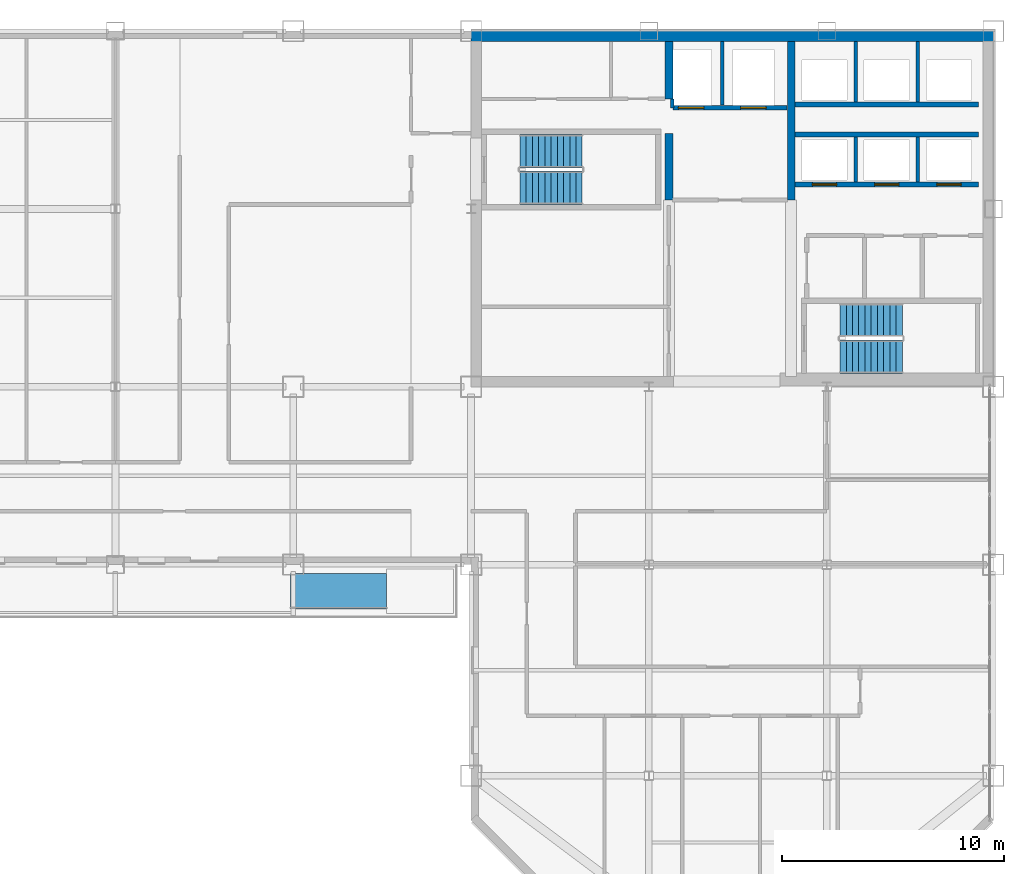
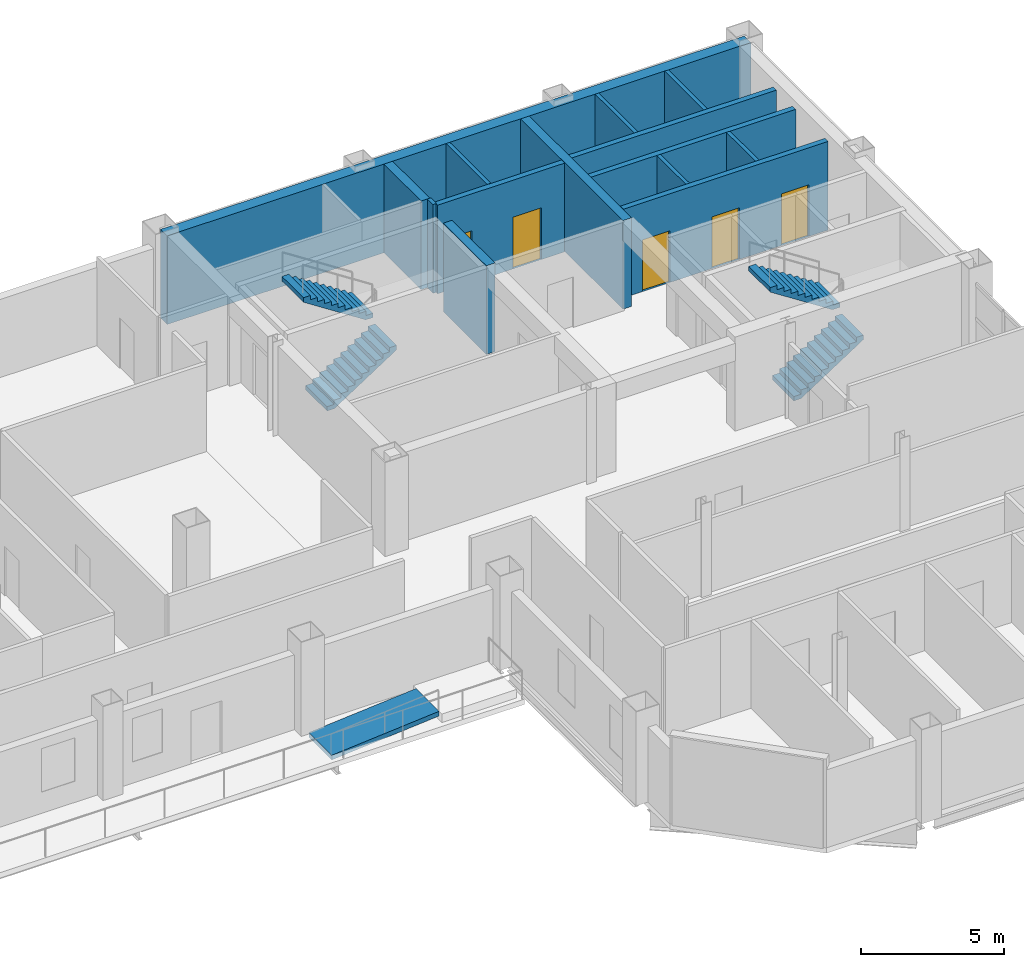
# One storey, part 10 of 14: 14 walls, 5 doors, 4 stair flights, 1 ramp flight, 5 openings, 3 elements without a shape of their own.
"""IFC4 building model written with IfcOpenShell, lengths in metres."""

from ifc_helpers import new_model, si_unit, direction, frame, frame_2d, origin, place, context, subcontext, project, spatial, polyline, rectangle, outline, extrude, material, layer, layer_set, type_object, element, fill, aggregate, save


model = new_model("IFC4")

# Units and contexts
model_context = context("Model", 3, precision=1e-05, world=origin(), true_north=direction((0.0, 1.0)))
body_context = subcontext(model_context, "Body", "Model", "MODEL_VIEW")
ifc_project = project(units=[si_unit("LENGTHUNIT", "METRE"), si_unit("AREAUNIT", "SQUARE_METRE"), si_unit("VOLUMEUNIT", "CUBIC_METRE"), si_unit("PLANEANGLEUNIT", "RADIAN"), si_unit("MASSUNIT", "GRAM", prefix="KILO")], contexts=[model_context])

# Site, building, storey
site_placement = place(None, origin())
site = spatial("IfcSite", under=ifc_project, at=site_placement, CompositionType="ELEMENT")
building_placement = place(site_placement, origin())
building = spatial("IfcBuilding", under=site, at=building_placement, Name="Qianrong Seaharbour Tower", CompositionType="ELEMENT")
storey_placement = place(building_placement, frame((0.0, 0.0, 209.800048828125)))
storey = spatial("IfcBuildingStorey", under=building, at=storey_placement, Name="L50", CompositionType="ELEMENT", Elevation=209.800048828125)

# Walls
ifc_material_1 = material(Name="Concrete C60/75", Category="concrete")
ifc_layer_1 = layer(ifc_material_1, 0.4599609375)
ifc_layer_set_1 = layer_set([ifc_layer_1], Name="Concrete C60/75")
wall_type_1 = type_object("IfcWallType", Name="WALL-CORE-460", PredefinedType="SHEAR", material=ifc_layer_set_1)
wall_1_placement = place(storey_placement, frame((40.5, 51.77001953125, 0.0), z_axis=(0.0, 0.0, 1.0), x_axis=(1.0, 0.0, 0.0)))
element("IfcWall", 1, at=wall_1_placement, inside=storey, type_object=wall_type_1, Name="L50 North Core Shear Wall", PredefinedType="SHEAR", context=body_context, shape_type="SweptSolid", body=[
    extrude(rectangle(XDim=23.5, YDim=0.4599609375, at=frame_2d((11.75, 0.0))), origin(), (0.0, 0.0, 1.0), 3.77490234375),
])
ifc_material_2 = material(Name="Concrete C50/60", Category="concrete")
ifc_layer_2 = layer(ifc_material_2, 0.35009765625)
ifc_layer_set_2 = layer_set([ifc_layer_2], Name="Concrete C50/60")
wall_type_2 = type_object("IfcWallType", Name="WALL-CORE-INT-350", PredefinedType="SHEAR", material=ifc_layer_set_2)
wall_2_placement = place(storey_placement, frame((49.39990234375, 44.39990234375, 0.0), z_axis=(0.0, 0.0, 1.0), x_axis=(0.0, 1.0, 0.0)))
element("IfcWall", 2, at=wall_2_placement, inside=storey, type_object=wall_type_2, Name="L50 Internal Core Shear Wall IW1N1", PredefinedType="SHEAR", context=body_context, shape_type="SweptSolid", body=[
    extrude(rectangle(XDim=3.0, YDim=0.35009765625, at=frame_2d((1.5, 0.0))), origin(), (0.0, 0.0, 1.0), 3.77490234375),
])
wall_3_placement = place(storey_placement, frame((49.39990234375, 48.949951171875, 0.0), z_axis=(0.0, 0.0, 1.0), x_axis=(0.0, 1.0, 0.0)))
element("IfcWall", 3, at=wall_3_placement, inside=storey, type_object=wall_type_2, Name="L50 Internal Core Shear Wall IW1N2", PredefinedType="SHEAR", context=body_context, shape_type="SweptSolid", body=[
    extrude(rectangle(XDim=2.590087890625, YDim=0.35009765625, at=frame_2d((1.294921875, 0.0))), origin(), (0.0, 0.0, 1.0), 3.77490234375),
])
wall_4_placement = place(storey_placement, frame((54.89990234375, 44.39990234375, 0.0), z_axis=(0.0, 0.0, 1.0), x_axis=(0.0, 1.0, 0.0)))
element("IfcWall", 4, at=wall_4_placement, inside=storey, type_object=wall_type_2, Name="L50 Internal Core Shear Wall IW2N", PredefinedType="SHEAR", context=body_context, shape_type="SweptSolid", body=[
    extrude(rectangle(XDim=7.14013671875, YDim=0.35009765625, at=frame_2d((3.570068359375, 0.0))), origin(), (0.0, 0.0, 1.0), 3.77490234375),
])
ifc_material_3 = material(Name="Fire-rated gypsum board on steel studs", Category="steel")
ifc_layer_3 = layer(ifc_material_3, 0.14990234375)
ifc_layer_set_3 = layer_set([ifc_layer_3], Name="Fire-rated gypsum board on steel studs")
wall_type_3 = type_object("IfcWallType", Name="WALL-SHAFT-DIV-150", PredefinedType="PARTITIONING", material=ifc_layer_set_3)
wall_5_placement = place(storey_placement, frame((51.800048828125, 48.669921875, 0.0), z_axis=(0.0, 0.0, 1.0), x_axis=(0.0, 1.0, 0.0)))
element("IfcWall", 5, at=wall_5_placement, inside=storey, type_object=wall_type_3, Name="L50 Firefighting Lift Shaft Divider Wall", PredefinedType="PARTITIONING", context=body_context, shape_type="SweptSolid", body=[
    extrude(rectangle(XDim=2.8701171875, YDim=0.14990234375, at=frame_2d((1.43505859375, 0.0))), origin(), (0.0, 0.0, 1.0), 3.77490234375),
])
wall_6_placement = place(storey_placement, frame((49.550048828125, 48.550048828125, 0.0), z_axis=(0.0, 0.0, 1.0), x_axis=(0.0, 1.0, 0.0)))
element("IfcWall", 6, at=wall_6_placement, inside=storey, type_object=wall_type_3, Name="L50 Firefighting Lift Shaft West Return Wall", PredefinedType="PARTITIONING", context=body_context, shape_type="SweptSolid", body=[
    extrude(rectangle(XDim=0.39990234375, YDim=0.14990234375, at=frame_2d((0.199951171875, 0.0))), origin(), (0.0, 0.0, 1.0), 3.77490234375),
])
for number, where, z_axis, x_axis, name in (
    (7, (57.800048828125, 45.2099609375, 0.0), (0.0, 0.0, 1.0), (0.0, 1.0, 0.0), "L50 P3 Lift Hoistway Divider 2"),
    (8, (60.60009765625, 45.2099609375, 0.0), (0.0, 0.0, 1.0), (0.0, 1.0, 0.0), "L50 P3 Lift Hoistway Divider 3"),
):
    element("IfcWall", number, at=place(storey_placement, frame(where, z_axis=z_axis, x_axis=x_axis)), inside=storey, type_object=wall_type_3, Name=name, PredefinedType="PARTITIONING", context=body_context, shape_type="SweptSolid", body=[
        extrude(rectangle(XDim=2.030029296875, YDim=0.14990234375, at=frame_2d((1.01513671875, 0.0))), origin(), (0.0, 0.0, 1.0), 3.77490234375),
    ])
for number, where, z_axis, x_axis, name in (
    (9, (57.800048828125, 48.81005859375, 0.0), (0.0, 0.0, 1.0), (0.0, 1.0, 0.0), "L50 P4 Lift Hoistway Divider 2"),
    (10, (60.60009765625, 48.81005859375, 0.0), (0.0, 0.0, 1.0), (0.0, 1.0, 0.0), "L50 P4 Lift Hoistway Divider 3"),
):
    element("IfcWall", number, at=place(storey_placement, frame(where, z_axis=z_axis, x_axis=x_axis)), inside=storey, type_object=wall_type_3, Name=name, PredefinedType="PARTITIONING", context=body_context, shape_type="SweptSolid", body=[
        extrude(rectangle(XDim=2.72998046875, YDim=0.14990234375, at=frame_2d((1.364990234375, 0.0))), origin(), (0.0, 0.0, 1.0), 3.77490234375),
    ])

# Wall, openings, doors
ifc_layer_4 = layer(ifc_material_3, 0.219970703125)
ifc_layer_set_4 = layer_set([ifc_layer_4], Name="Fire-rated gypsum board on steel studs")
wall_type_4 = type_object("IfcWallType", Name="WALL-SHAFT-GYP220", PredefinedType="PARTITIONING", material=ifc_layer_set_4)
wall_7_placement = place(storey_placement, frame((54.7099609375, 48.550048828125, 0.0), z_axis=(0.0, 0.0, 1.0), x_axis=(-1.0, 0.0, 0.0)))
wall_7 = element("IfcWall", 11, at=wall_7_placement, inside=storey, type_object=wall_type_4, Name="L50 Firefighting Lift Shaft Front Wall", PredefinedType="PARTITIONING", context=body_context, shape_type="SweptSolid", body=[
    extrude(rectangle(XDim=5.119873046875, YDim=0.219970703125, at=frame_2d((2.56005859375, 0.0))), origin(), (0.0, 0.0, 1.0), 3.77490234375),
])
opening_1_placement = place(wall_7_placement, frame((3.735107421875, 0.0, 0.0)))
opening_1 = element("IfcOpeningElement", 12, at=opening_1_placement, cuts=wall_7, Name="Opening LD-01", PredefinedType="OPENING", context=body_context, shape_type="SweptSolid", body=[
    extrude(rectangle(XDim=1.14990234375, YDim=2.199951171875, at=frame_2d((0.574951171875, 1.10009765625))), frame((0.0, 0.1201171875, 0.0), z_axis=(0.0, -1.0, 0.0), x_axis=(1.0, 0.0, 0.0)), (0.0, 0.0, 1.0), 0.239990234375),
])
opening_2_placement = place(wall_7_placement, frame((0.93505859375, 0.0, 0.0)))
opening_2 = element("IfcOpeningElement", 13, at=opening_2_placement, cuts=wall_7, Name="Opening LD-01", PredefinedType="OPENING", context=body_context, shape_type="SweptSolid", body=[
    extrude(rectangle(XDim=1.14990234375, YDim=2.199951171875, at=frame_2d((0.574951171875, 1.10009765625))), frame((0.0, 0.1201171875, 0.0), z_axis=(0.0, -1.0, 0.0), x_axis=(1.0, 0.0, 0.0)), (0.0, 0.0, 1.0), 0.239990234375),
])
ifc_material_4 = material(Name="Stainless steel SUS316L bi-parting lift landing door", Category="steel")
door_type_1 = type_object("IfcDoorType", Name="DOOR-LIFT-FF-1150x2200", OperationType="DOUBLE_DOOR_SLIDING", PredefinedType="DOOR", material=ifc_material_4)
door_1_placement = place(opening_1_placement, origin())
door_1 = element("IfcDoor", 14, at=door_1_placement, inside=storey, type_object=door_type_1, Name="L50 FL-1 Firefighting Lift Landing Door", OperationType="DOUBLE_DOOR_SLIDING", OverallHeight=2.199951171875, OverallWidth=1.14990234375, PredefinedType="DOOR", context=body_context, shape_type="SweptSolid", body=[
    extrude(rectangle(XDim=1.14990234375, YDim=2.199951171875, at=frame_2d((0.574951171875, 1.10009765625))), frame((0.0, 0.02490234375, 0.0), z_axis=(0.0, -1.0, 0.0), x_axis=(1.0, 0.0, 0.0)), (0.0, 0.0, 1.0), 0.050048828125),
])
fill(opening_1, door_1)
door_2_placement = place(opening_2_placement, origin())
door_2 = element("IfcDoor", 15, at=door_2_placement, inside=storey, type_object=door_type_1, Name="L50 FL-2 Firefighting Lift Landing Door", OperationType="DOUBLE_DOOR_SLIDING", OverallHeight=2.199951171875, OverallWidth=1.14990234375, PredefinedType="DOOR", context=body_context, shape_type="SweptSolid", body=[
    extrude(rectangle(XDim=1.14990234375, YDim=2.199951171875, at=frame_2d((0.574951171875, 1.10009765625))), frame((0.0, 0.02490234375, 0.0), z_axis=(0.0, -1.0, 0.0), x_axis=(1.0, 0.0, 0.0)), (0.0, 0.0, 1.0), 0.050048828125),
])
fill(opening_2, door_2)

wall_8_placement = place(storey_placement, frame((63.320068359375, 45.10009765625, 0.0), z_axis=(0.0, 0.0, 1.0), x_axis=(-1.0, 0.0, 0.0)))
wall_8 = element("IfcWall", 16, at=wall_8_placement, inside=storey, type_object=wall_type_4, Name="L50 P3 Lift Hoistway Front Wall", PredefinedType="PARTITIONING", context=body_context, shape_type="SweptSolid", body=[
    extrude(rectangle(XDim=8.239990234375, YDim=0.219970703125, at=frame_2d((4.1201171875, 0.0))), origin(), (0.0, 0.0, 1.0), 3.77490234375),
])
opening_3_placement = place(wall_8_placement, frame((6.3701171875, 0.0, 0.0)))
opening_3 = element("IfcOpeningElement", 17, at=opening_3_placement, cuts=wall_8, Name="Opening LD-02", PredefinedType="OPENING", context=body_context, shape_type="SweptSolid", body=[
    extrude(rectangle(XDim=1.10009765625, YDim=2.199951171875, at=frame_2d((0.550048828125, 1.10009765625))), frame((0.0, 0.1201171875, 0.0), z_axis=(0.0, -1.0, 0.0), x_axis=(1.0, 0.0, 0.0)), (0.0, 0.0, 1.0), 0.239990234375),
])
opening_4_placement = place(wall_8_placement, frame((3.570068359375, 0.0, 0.0)))
opening_4 = element("IfcOpeningElement", 18, at=opening_4_placement, cuts=wall_8, Name="Opening LD-02", PredefinedType="OPENING", context=body_context, shape_type="SweptSolid", body=[
    extrude(rectangle(XDim=1.10009765625, YDim=2.199951171875, at=frame_2d((0.550048828125, 1.10009765625))), frame((0.0, 0.1201171875, 0.0), z_axis=(0.0, -1.0, 0.0), x_axis=(1.0, 0.0, 0.0)), (0.0, 0.0, 1.0), 0.239990234375),
])
opening_5_placement = place(wall_8_placement, frame((0.77001953125, 0.0, 0.0)))
opening_5 = element("IfcOpeningElement", 19, at=opening_5_placement, cuts=wall_8, Name="Opening LD-02", PredefinedType="OPENING", context=body_context, shape_type="SweptSolid", body=[
    extrude(rectangle(XDim=1.10009765625, YDim=2.199951171875, at=frame_2d((0.550048828125, 1.10009765625))), frame((0.0, 0.1201171875, 0.0), z_axis=(0.0, -1.0, 0.0), x_axis=(1.0, 0.0, 0.0)), (0.0, 0.0, 1.0), 0.239990234375),
])
door_type_2 = type_object("IfcDoorType", Name="DOOR-LIFT-PASS-1100x2200", OperationType="DOUBLE_DOOR_SLIDING", PredefinedType="DOOR", material=ifc_material_4)
door_3_placement = place(opening_3_placement, origin())
door_3 = element("IfcDoor", 20, at=door_3_placement, inside=storey, type_object=door_type_2, Name="L50 PL-3A Lift Landing Door", OperationType="DOUBLE_DOOR_SLIDING", OverallHeight=2.199951171875, OverallWidth=1.10009765625, PredefinedType="DOOR", context=body_context, shape_type="SweptSolid", body=[
    extrude(rectangle(XDim=1.10009765625, YDim=2.199951171875, at=frame_2d((0.550048828125, 1.10009765625))), frame((0.0, 0.02490234375, 0.0), z_axis=(0.0, -1.0, 0.0), x_axis=(1.0, 0.0, 0.0)), (0.0, 0.0, 1.0), 0.050048828125),
])
fill(opening_3, door_3)
door_4_placement = place(opening_4_placement, origin())
door_4 = element("IfcDoor", 21, at=door_4_placement, inside=storey, type_object=door_type_2, Name="L50 PL-3B Lift Landing Door", OperationType="DOUBLE_DOOR_SLIDING", OverallHeight=2.199951171875, OverallWidth=1.10009765625, PredefinedType="DOOR", context=body_context, shape_type="SweptSolid", body=[
    extrude(rectangle(XDim=1.10009765625, YDim=2.199951171875, at=frame_2d((0.550048828125, 1.10009765625))), frame((0.0, 0.02490234375, 0.0), z_axis=(0.0, -1.0, 0.0), x_axis=(1.0, 0.0, 0.0)), (0.0, 0.0, 1.0), 0.050048828125),
])
fill(opening_4, door_4)
door_5_placement = place(opening_5_placement, origin())
door_5 = element("IfcDoor", 22, at=door_5_placement, inside=storey, type_object=door_type_2, Name="L50 PL-3C Lift Landing Door", OperationType="DOUBLE_DOOR_SLIDING", OverallHeight=2.199951171875, OverallWidth=1.10009765625, PredefinedType="DOOR", context=body_context, shape_type="SweptSolid", body=[
    extrude(rectangle(XDim=1.10009765625, YDim=2.199951171875, at=frame_2d((0.550048828125, 1.10009765625))), frame((0.0, 0.02490234375, 0.0), z_axis=(0.0, -1.0, 0.0), x_axis=(1.0, 0.0, 0.0)), (0.0, 0.0, 1.0), 0.050048828125),
])
fill(opening_5, door_5)

# Walls
for number, where, z_axis, x_axis, name in (
    (23, (55.080078125, 47.35009765625, 0.0), (0.0, 0.0, 1.0), (1.0, 0.0, 0.0), "L50 P3 Lift Hoistway Back Wall"),
    (24, (63.320068359375, 48.699951171875, 0.0), (0.0, 0.0, 1.0), (-1.0, 0.0, 0.0), "L50 P4 Lift Hoistway Front Wall"),
):
    element("IfcWall", number, at=place(storey_placement, frame(where, z_axis=z_axis, x_axis=x_axis)), inside=storey, type_object=wall_type_4, Name=name, PredefinedType="PARTITIONING", context=body_context, shape_type="SweptSolid", body=[
        extrude(rectangle(XDim=8.239990234375, YDim=0.219970703125, at=frame_2d((4.1201171875, 0.0))), origin(), (0.0, 0.0, 1.0), 3.77490234375),
    ])

# Stair, stair flights
stair_type = type_object("IfcStairType", Name="STAIR-DOGLEG-1500-R22", PredefinedType="HALF_TURN_STAIR", material=ifc_material_2)
stair_1_placement = place(storey_placement, origin())
stair_1 = element("IfcStair", 25, at=stair_1_placement, inside=storey, type_object=stair_type, Name="L50 Protected Escape Stair ST-1", PredefinedType="HALF_TURN_STAIR")
stair_flight_type = type_object("IfcStairFlightType", Name="FLIGHT-STR-1500-R22", PredefinedType="STRAIGHT", material=ifc_material_2)
stair_flight_1_placement = place(storey_placement, frame((42.699951171875, 44.949951171875, 0.0), z_axis=(0.0, 0.0, 1.0), x_axis=(1.0, 0.0, 0.0)))
stair_flight_1 = element("IfcStairFlight", 26, at=stair_flight_1_placement, type_object=stair_flight_type, Name="ST-1 flight 1", NumberOfRisers=11, NumberOfTreads=10, PredefinedType="STRAIGHT", RiserHeight=0.181818182, TreadLength=0.28, context=body_context, shape_type="SweptSolid", body=[
    extrude(outline(polyline([(0.0, 0.0), (0.0, 0.181884765625), (0.280029296875, 0.181884765625), (0.280029296875, 0.363525390625), (0.56005859375, 0.363525390625), (0.56005859375, 0.54541015625), (0.840087890625, 0.54541015625), (0.840087890625, 0.727294921875), (1.1201171875, 0.727294921875), (1.1201171875, 0.9091796875), (1.39990234375, 0.9091796875), (1.39990234375, 1.0908203125), (1.679931640625, 1.0908203125), (1.679931640625, 1.272705078125), (1.9599609375, 1.272705078125), (1.9599609375, 1.45458984375), (2.239990234375, 1.45458984375), (2.239990234375, 1.636474609375), (2.52001953125, 1.636474609375), (2.52001953125, 1.818115234375), (2.800048828125, 1.818115234375), (2.800048828125, 2.0), (2.800048828125, 1.62744140625), (0.293701171875, 0.0), (0.0, 0.0)])), frame((0.0, 0.75, 0.0), z_axis=(0.0, -1.0, 0.0), x_axis=(1.0, 0.0, 0.0)), (0.0, 0.0, 1.0), 1.5),
])
stair_flight_2_placement = place(storey_placement, frame((45.5, 46.60009765625, 2.0), z_axis=(0.0, 0.0, 1.0), x_axis=(-1.0, 0.0, 0.0)))
stair_flight_2 = element("IfcStairFlight", 27, at=stair_flight_2_placement, type_object=stair_flight_type, Name="ST-1 flight 2", NumberOfRisers=11, NumberOfTreads=10, PredefinedType="STRAIGHT", RiserHeight=0.181818182, TreadLength=0.28, context=body_context, shape_type="SweptSolid", body=[
    extrude(outline(polyline([(0.0, 0.0), (0.0, 0.181884765625), (0.280029296875, 0.181884765625), (0.280029296875, 0.363525390625), (0.56005859375, 0.363525390625), (0.56005859375, 0.54541015625), (0.840087890625, 0.54541015625), (0.840087890625, 0.727294921875), (1.1201171875, 0.727294921875), (1.1201171875, 0.9091796875), (1.39990234375, 0.9091796875), (1.39990234375, 1.0908203125), (1.679931640625, 1.0908203125), (1.679931640625, 1.272705078125), (1.9599609375, 1.272705078125), (1.9599609375, 1.45458984375), (2.239990234375, 1.45458984375), (2.239990234375, 1.636474609375), (2.52001953125, 1.636474609375), (2.52001953125, 1.818115234375), (2.800048828125, 1.818115234375), (2.800048828125, 2.0), (2.800048828125, 1.62744140625), (0.293701171875, 0.0), (0.0, 0.0)])), frame((0.0, 0.75, 0.0), z_axis=(0.0, -1.0, 0.0), x_axis=(1.0, 0.0, 0.0)), (0.0, 0.0, 1.0), 1.5),
])
aggregate(stair_1, [stair_flight_1, stair_flight_2])

stair_2_placement = place(storey_placement, origin())
stair_2 = element("IfcStair", 28, at=stair_2_placement, inside=storey, type_object=stair_type, Name="L50 Protected Escape Stair ST-2", PredefinedType="HALF_TURN_STAIR")
stair_flight_3_placement = place(storey_placement, frame((57.10009765625, 37.35009765625, 0.0), z_axis=(0.0, 0.0, 1.0), x_axis=(1.0, 0.0, 0.0)))
stair_flight_3 = element("IfcStairFlight", 29, at=stair_flight_3_placement, type_object=stair_flight_type, Name="ST-2 flight 1", NumberOfRisers=11, NumberOfTreads=10, PredefinedType="STRAIGHT", RiserHeight=0.181818182, TreadLength=0.28, context=body_context, shape_type="SweptSolid", body=[
    extrude(outline(polyline([(0.0, 0.0), (0.0, 0.181884765625), (0.280029296875, 0.181884765625), (0.280029296875, 0.363525390625), (0.56005859375, 0.363525390625), (0.56005859375, 0.54541015625), (0.840087890625, 0.54541015625), (0.840087890625, 0.727294921875), (1.1201171875, 0.727294921875), (1.1201171875, 0.9091796875), (1.39990234375, 0.9091796875), (1.39990234375, 1.0908203125), (1.679931640625, 1.0908203125), (1.679931640625, 1.272705078125), (1.9599609375, 1.272705078125), (1.9599609375, 1.45458984375), (2.239990234375, 1.45458984375), (2.239990234375, 1.636474609375), (2.52001953125, 1.636474609375), (2.52001953125, 1.818115234375), (2.800048828125, 1.818115234375), (2.800048828125, 2.0), (2.800048828125, 1.62744140625), (0.293701171875, 0.0), (0.0, 0.0)])), frame((0.0, 0.75, 0.0), z_axis=(0.0, -1.0, 0.0), x_axis=(1.0, 0.0, 0.0)), (0.0, 0.0, 1.0), 1.5),
])
stair_flight_4_placement = place(storey_placement, frame((59.89990234375, 39.0, 2.0), z_axis=(0.0, 0.0, 1.0), x_axis=(-1.0, 0.0, 0.0)))
stair_flight_4 = element("IfcStairFlight", 30, at=stair_flight_4_placement, type_object=stair_flight_type, Name="ST-2 flight 2", NumberOfRisers=11, NumberOfTreads=10, PredefinedType="STRAIGHT", RiserHeight=0.181818182, TreadLength=0.28, context=body_context, shape_type="SweptSolid", body=[
    extrude(outline(polyline([(0.0, 0.0), (0.0, 0.181884765625), (0.280029296875, 0.181884765625), (0.280029296875, 0.363525390625), (0.56005859375, 0.363525390625), (0.56005859375, 0.54541015625), (0.840087890625, 0.54541015625), (0.840087890625, 0.727294921875), (1.1201171875, 0.727294921875), (1.1201171875, 0.9091796875), (1.39990234375, 0.9091796875), (1.39990234375, 1.0908203125), (1.679931640625, 1.0908203125), (1.679931640625, 1.272705078125), (1.9599609375, 1.272705078125), (1.9599609375, 1.45458984375), (2.239990234375, 1.45458984375), (2.239990234375, 1.636474609375), (2.52001953125, 1.636474609375), (2.52001953125, 1.818115234375), (2.800048828125, 1.818115234375), (2.800048828125, 2.0), (2.800048828125, 1.62744140625), (0.293701171875, 0.0), (0.0, 0.0)])), frame((0.0, 0.75, 0.0), z_axis=(0.0, -1.0, 0.0), x_axis=(1.0, 0.0, 0.0)), (0.0, 0.0, 1.0), 1.5),
])
aggregate(stair_2, [stair_flight_3, stair_flight_4])

# Ramp, ramp flight
ifc_material_5 = material(Name="White architectural precast concrete C45/55", Category="concrete")
ramp_type = type_object("IfcRampType", Name="RAMP-RIBBON-GARDEN", PredefinedType="STRAIGHT_RUN_RAMP", material=ifc_material_5)
ramp_placement = place(storey_placement, origin())
ramp = element("IfcRamp", 31, at=ramp_placement, inside=storey, type_object=ramp_type, Name="L50 Harbourfront Garden Ribbon Ramp", PredefinedType="STRAIGHT_RUN_RAMP")
ifc_layer_5 = layer(ifc_material_5, 0.199951171875)
ifc_layer_set_5 = layer_set([ifc_layer_5], Name="White architectural precast concrete C45/55")
ramp_flight_type = type_object("IfcRampFlightType", Name="RAMP-FLIGHT-GARDEN-200", PredefinedType="STRAIGHT", material=ifc_layer_set_5)
ramp_flight_placement = place(storey_placement, frame((32.3798828125, 26.800048828125, 0.0), z_axis=(0.0, 0.0, 1.0), x_axis=(1.0, 0.0, 0.0)))
ramp_flight = element("IfcRampFlight", 32, at=ramp_flight_placement, type_object=ramp_flight_type, Name="L50 Harbourfront Garden Ribbon Ramp Flight", PredefinedType="STRAIGHT", context=body_context, shape_type="SweptSolid", body=[
    extrude(outline(polyline([(0.0, 0.0), (4.320068359375, 0.360107421875), (4.320068359375, 0.16015625), (0.0, -0.199951171875), (0.0, 0.0)])), frame((0.0, 0.800048828125, 0.0), z_axis=(0.0, -1.0, 0.0), x_axis=(1.0, 0.0, 0.0)), (0.0, 0.0, 1.0), 1.60009765625),
])
aggregate(ramp, [ramp_flight])

save(model, "model.ifc")
